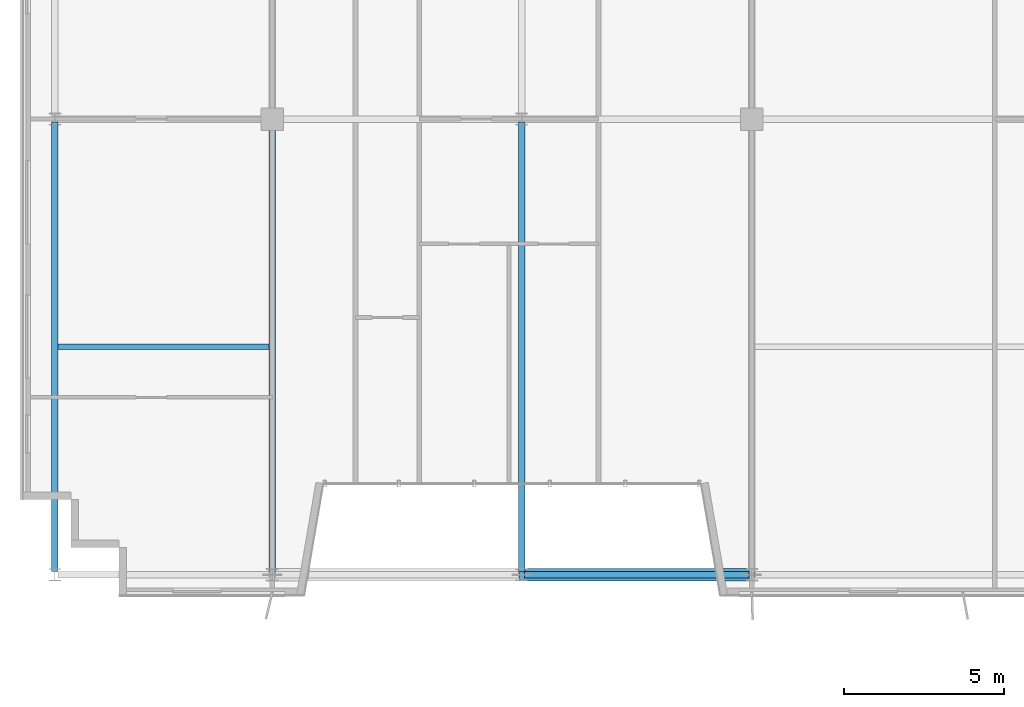
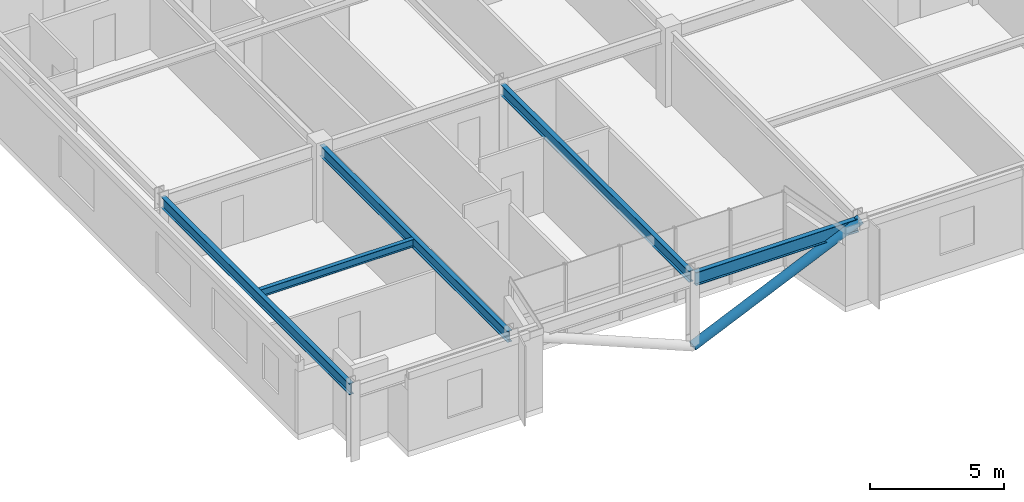
# One storey, part 4 of 24: 5 beams, 1 member.
"""IFC4 building model written with IfcOpenShell, lengths in metres."""

from ifc_helpers import new_model, si_unit, direction, frame, origin, origin_2d, place, context, subcontext, project, spatial, hollow_circle, i_section, extrude, source, transform, mapped, material, material_profile, profile_set, type_object, element, save


model = new_model("IFC4")

# Units and contexts
model_context = context("Model", 3, precision=1e-05, world=origin(), true_north=direction((0.0, 1.0)))
body_context = subcontext(model_context, "Body", "Model", "MODEL_VIEW")
ifc_project = project(units=[si_unit("LENGTHUNIT", "METRE"), si_unit("AREAUNIT", "SQUARE_METRE"), si_unit("VOLUMEUNIT", "CUBIC_METRE"), si_unit("PLANEANGLEUNIT", "RADIAN"), si_unit("MASSUNIT", "GRAM", prefix="KILO")], contexts=[model_context])

# Site, building, storey
site_placement = place(None, origin())
site = spatial("IfcSite", under=ifc_project, at=site_placement, CompositionType="ELEMENT")
building_placement = place(site_placement, origin())
building = spatial("IfcBuilding", under=site, at=building_placement, Name="Trelvane Seafront Commons", CompositionType="ELEMENT")
storey_placement = place(building_placement, frame((0.0, 0.0, 175.300048828125)))
storey = spatial("IfcBuildingStorey", under=building, at=storey_placement, Name="L46", CompositionType="ELEMENT", Elevation=175.300048828125)

# Beams
ifc_material = material(Name="Steel SM355 (S355)", Category="steel")
ifc_material_profile_1 = material_profile(ifc_material, i_section(OverallWidth=0.175048828125, OverallDepth=0.35009765625, WebThickness=0.007080078125, FlangeThickness=0.010986328125, at=origin_2d()), Name="H-350x175x7x11")
ifc_profile_set_1 = profile_set([ifc_material_profile_1], Name="Steel SM355 (S355)")
beam_type_1 = type_object("IfcBeamType", Name="STR-JST-H350", PredefinedType="JOIST", material=ifc_profile_set_1)
shared_shape_1 = source(origin(), body_context, "Body", "SweptSolid", [
    extrude(i_section(OverallWidth=0.175048828125, OverallDepth=0.35009765625, WebThickness=0.007080078125, FlangeThickness=0.010986328125, at=origin_2d()), origin(), (0.0, 0.0, 1.0), 6.60009765625),
])
beam_1_placement = place(storey_placement, frame((8.89990234375, 11.074951171875, 3.175048828125), z_axis=(1.0, 0.0, 0.0), x_axis=(0.0, 1.0, 0.0)))
element("IfcBeam", 1, at=beam_1_placement, inside=storey, type_object=beam_type_1, Name="L46 Secondary Floor Joist B-53", PredefinedType="JOIST", context=body_context, shape_type="MappedRepresentation", body=[
    mapped(shared_shape_1, transform((0.0, 0.0, 0.0), x_axis=(1.0, 0.0, 0.0), y_axis=(0.0, 1.0, 0.0), z_axis=(0.0, 0.0, 1.0), scale=1.0)),
])
ifc_material_profile_2 = material_profile(ifc_material, i_section(OverallWidth=0.199951171875, OverallDepth=0.60009765625, WebThickness=0.010986328125, FlangeThickness=0.01708984375, at=origin_2d()), Name="H-600x200x11x17")
ifc_profile_set_2 = profile_set([ifc_material_profile_2], Name="Steel SM355 (S355)")
beam_type_2 = type_object("IfcBeamType", Name="STR-SPD-H600", PredefinedType="SPANDREL", material=ifc_profile_set_2)
shared_shape_2 = source(origin(), body_context, "Body", "SweptSolid", [
    extrude(i_section(OverallWidth=0.199951171875, OverallDepth=0.60009765625, WebThickness=0.010986328125, FlangeThickness=0.01708984375, at=origin_2d()), origin(), (0.0, 0.0, 1.0), 7.009765625),
])
beam_2_placement = place(storey_placement, frame((23.4951171875, 3.949951171875, 3.050048828125), z_axis=(1.0, 0.0, 0.0), x_axis=(0.0, 1.0, 0.0)))
element("IfcBeam", 2, at=beam_2_placement, inside=storey, type_object=beam_type_2, Name="L46 Primary Girder G-03", PredefinedType="SPANDREL", context=body_context, shape_type="MappedRepresentation", body=[
    mapped(shared_shape_2, transform((0.0, 0.0, 0.0), x_axis=(1.0, 0.0, 0.0), y_axis=(0.0, 1.0, 0.0), z_axis=(0.0, 0.0, 1.0), scale=1.0)),
])
ifc_material_profile_3 = material_profile(ifc_material, i_section(OverallWidth=0.199951171875, OverallDepth=0.5, WebThickness=0.010009765625, FlangeThickness=0.01611328125, at=origin_2d()), Name="H-500x200x10x16")
ifc_profile_set_3 = profile_set([ifc_material_profile_3], Name="Steel SM355 (S355)")
beam_type_3 = type_object("IfcBeamType", Name="STR-BM-H500", PredefinedType="BEAM", material=ifc_profile_set_3)
shared_shape_3 = source(origin(), body_context, "Body", "SweptSolid", [
    extrude(i_section(OverallWidth=0.199951171875, OverallDepth=0.5, WebThickness=0.010009765625, FlangeThickness=0.01611328125, at=origin_2d()), origin(), (0.0, 0.0, 1.0), 14.06005859375),
])
for number, where, z_axis, x_axis, name in (
    (3, (8.800048828125, 4.044921875, 3.099853515625), (0.0, 1.0, 0.0), (-1.0, 0.0, 0.0), "L46 Primary Girder G-29"),
    (4, (23.39990234375, 4.044921875, 3.099853515625), (0.0, 1.0, 0.0), (-1.0, 0.0, 0.0), "L46 Primary Girder G-35"),
):
    element("IfcBeam", number, at=place(storey_placement, frame(where, z_axis=z_axis, x_axis=x_axis)), inside=storey, type_object=beam_type_3, Name=name, PredefinedType="BEAM", context=body_context, shape_type="MappedRepresentation", body=[
        mapped(shared_shape_3, transform((0.0, 0.0, 0.0), x_axis=(1.0, 0.0, 0.0), y_axis=(0.0, 1.0, 0.0), z_axis=(0.0, 0.0, 1.0), scale=1.0)),
    ])
shared_shape_4 = source(origin(), body_context, "Body", "SweptSolid", [
    extrude(i_section(OverallWidth=0.199951171875, OverallDepth=0.5, WebThickness=0.010009765625, FlangeThickness=0.01611328125, at=origin_2d()), origin(), (0.0, 0.0, 1.0), 14.005126953125),
])
beam_3_placement = place(storey_placement, frame((15.60009765625, 4.044921875, 3.099853515625), z_axis=(0.0, 1.0, 0.0), x_axis=(-1.0, 0.0, 0.0)))
element("IfcBeam", 5, at=beam_3_placement, inside=storey, type_object=beam_type_3, Name="L46 Primary Girder G-32", PredefinedType="BEAM", context=body_context, shape_type="MappedRepresentation", body=[
    mapped(shared_shape_4, transform((0.0, 0.0, 0.0), x_axis=(1.0, 0.0, 0.0), y_axis=(0.0, 1.0, 0.0), z_axis=(0.0, 0.0, 1.0), scale=1.0)),
])

# Member
ifc_material_profile_4 = material_profile(ifc_material, hollow_circle(Radius=0.203125, WallThickness=0.01611328125, at=origin_2d()), Name="CHS-406.4x16")
ifc_profile_set_4 = profile_set([ifc_material_profile_4], Name="Steel SM355 (S355)")
member_type = type_object("IfcMemberType", Name="STR-STR-CHS406", PredefinedType="STRUT", material=ifc_profile_set_4)
shared_shape_5 = source(origin(), body_context, "Body", "SweptSolid", [
    extrude(hollow_circle(Radius=0.203125, WallThickness=0.01611328125, at=origin_2d()), origin(), (0.0, 0.0, 1.0), 7.8916015625),
])
member_placement = place(storey_placement, frame((23.39990234375, 3.949951171875, 0.0), z_axis=(0.912400184787, 0.0, 0.409299282678), x_axis=(0.0, 1.0, 0.0)))
element("IfcMember", 6, at=member_placement, inside=storey, type_object=member_type, Name="L46 Sky-Garden V-Chevron Brace SGV-E", PredefinedType="STRUT", context=body_context, shape_type="MappedRepresentation", body=[
    mapped(shared_shape_5, transform((0.0, 0.0, 0.0), x_axis=(1.0, 0.0, 0.0), y_axis=(0.0, 1.0, 0.0), z_axis=(0.0, 0.0, 1.0), scale=1.0)),
])

save(model, "model.ifc")
